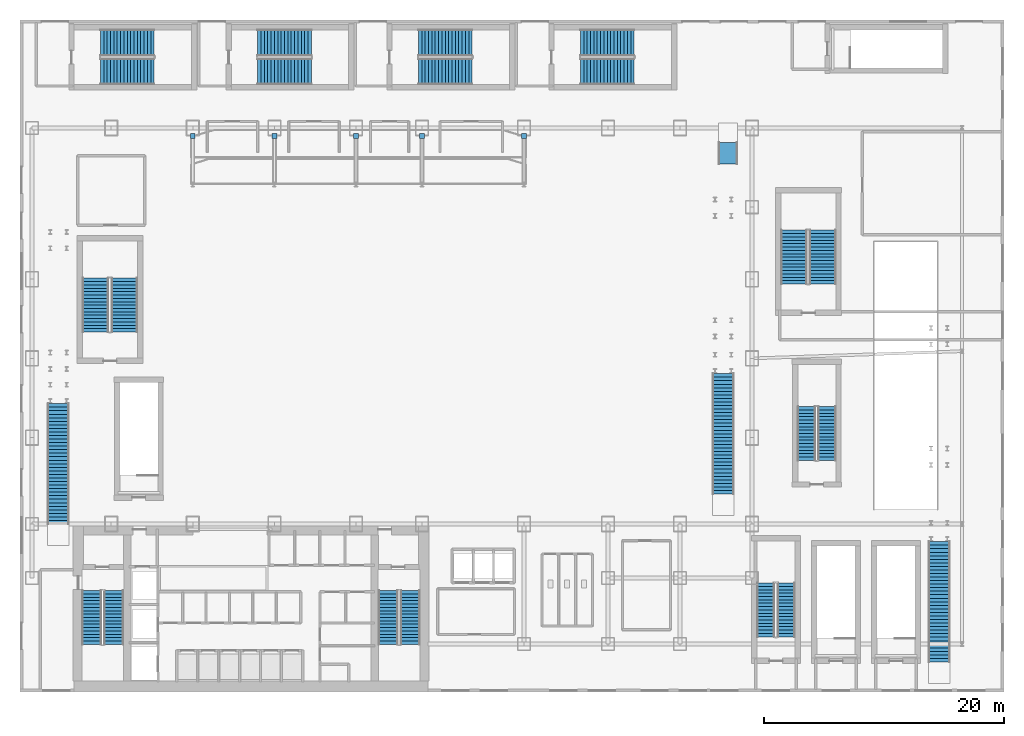
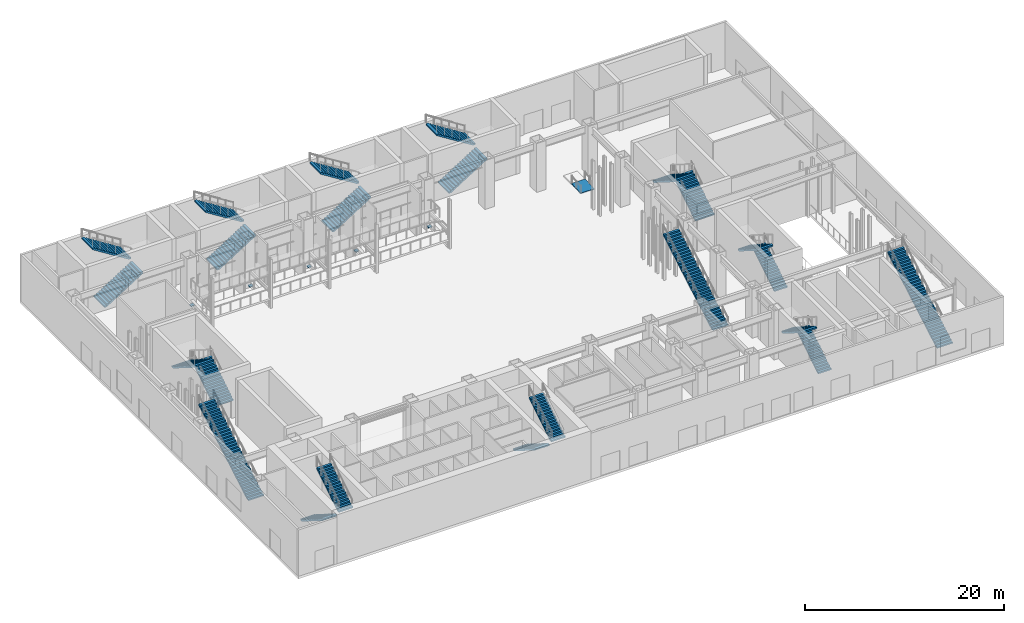
# One storey, part 16 of 25: 23 stair flights, 5 discrete accessories, 1 ramp flight, 14 elements without a shape of their own.
"""IFC4 building model written with IfcOpenShell, lengths in metres."""

import ifcopenshell
import ifcopenshell.guid

model = None  # the IFC model being written
_history = None  # IfcOwnerHistory: only IFC2X3 demands one
_inside = {}  # id of a spatial element -> (the spatial element, [elements in it])
_under = {}  # id of a project, library or spatial element -> (it, [spatial elements below it])
_declared = {}  # id of a project -> (the project, [libraries it declares])
_typed = {}  # id of a type object -> (the type object, [elements of that type])
_made_of = {}  # id of a material, layer set ... -> (it, [elements and type objects made of it])


def new_model(schema):
    """Start an empty IFC model of exactly this schema.

    Asked for "IFC4X3", IfcOpenShell would pick the latest addendum, in which some entities
    have other attributes; the version numbers below select the first issue.
    IFC2X3 requires an IfcOwnerHistory on every rooted entity: one is made here for all.
    """
    global model, _history
    if schema == "IFC4X3":
        model = ifcopenshell.file(schema_version=(4, 3, 0, 0))
    else:
        model = ifcopenshell.file(schema=schema)
    _inside.clear()
    _under.clear()
    _declared.clear()
    _typed.clear()
    _made_of.clear()
    _history = None
    if model.schema == "IFC2X3":
        org = make("IfcOrganization", Name="unknown")
        user = make(
            "IfcPersonAndOrganization",
            ThePerson=make("IfcPerson", FamilyName="unknown"),
            TheOrganization=org,
        )
        app = make(
            "IfcApplication",
            ApplicationDeveloper=org,
            Version="unknown",
            ApplicationFullName="unknown",
            ApplicationIdentifier="unknown",
        )
        _history = make(
            "IfcOwnerHistory",
            OwningUser=user,
            OwningApplication=app,
            ChangeAction="ADDED",
            CreationDate=0,
        )
    return model


def make(cls, **values):
    """One entity of the class cls with the attributes given. An attribute that is None is left unset."""
    return model.create_entity(
        cls, **{name: value for name, value in values.items() if value is not None}
    )


def rooted(cls, **values):
    """An entity with a GlobalId (a new one), such as an element, a storey or a relation."""
    return make(cls, GlobalId=ifcopenshell.guid.new(), OwnerHistory=_history, **values)


def si_unit(unit_type, name, prefix=None):
    """IfcSIUnit, for example si_unit("LENGTHUNIT", "METRE", prefix="MILLI")."""
    return make("IfcSIUnit", UnitType=unit_type, Prefix=prefix, Name=name)


def derived_unit(unit_type, elements):
    """IfcDerivedUnit: a product of units, each with its exponent."""
    return make(
        "IfcDerivedUnit",
        Elements=[
            make("IfcDerivedUnitElement", Unit=unit, Exponent=power)
            for unit, power in elements
        ],
        UnitType=unit_type,
    )


def assignment(units):
    """IfcUnitAssignment: the units of a project."""
    return None if units is None else make("IfcUnitAssignment", Units=units)


def point(xyz):
    """IfcCartesianPoint."""
    return None if xyz is None else make("IfcCartesianPoint", Coordinates=xyz)


def direction(xyz):
    """IfcDirection."""
    return None if xyz is None else make("IfcDirection", DirectionRatios=xyz)


def frame(location, z_axis=None, x_axis=None):
    """IfcAxis2Placement3D, a coordinate frame: its origin and axes. An axis left out is left unset."""
    return make(
        "IfcAxis2Placement3D",
        Location=point(location),
        Axis=direction(z_axis),
        RefDirection=direction(x_axis),
    )


def frame_2d(location, x_axis=None):
    """IfcAxis2Placement2D, a coordinate frame in the plane: its origin and x axis."""
    return make(
        "IfcAxis2Placement2D", Location=point(location), RefDirection=direction(x_axis)
    )


def origin():
    """The frame at (0, 0, 0) with its axes left unset."""
    return frame((0.0, 0.0, 0.0))


def origin_2d():
    """The frame at (0, 0) in the plane with its x axis left unset."""
    return frame_2d((0.0, 0.0))


def place(relative_to, where):
    """IfcLocalPlacement: puts the frame where relative to a parent placement (None: the world)."""
    return make(
        "IfcLocalPlacement", PlacementRelTo=relative_to, RelativePlacement=where
    )


def context(
    kind, dimensions, precision=None, world=None, true_north=None, identifier=None
):
    """IfcGeometricRepresentationContext, for example the 3D "Model" context."""
    return make(
        "IfcGeometricRepresentationContext",
        ContextIdentifier=identifier,
        ContextType=kind,
        CoordinateSpaceDimension=dimensions,
        Precision=precision,
        WorldCoordinateSystem=world,
        TrueNorth=true_north,
    )


def subcontext(parent, identifier, kind, view, scale=None):
    """IfcGeometricRepresentationSubContext, for example "Body" below "Model"."""
    return make(
        "IfcGeometricRepresentationSubContext",
        ContextIdentifier=identifier,
        ContextType=kind,
        ParentContext=parent,
        TargetScale=scale,
        TargetView=view,
    )


def project(units=None, contexts=None):
    """IfcProject with its units and contexts."""
    return rooted(
        "IfcProject",
        Name="project",
        RepresentationContexts=contexts,
        UnitsInContext=assignment(units),
    )


def spatial(cls, under=None, at=None, **own):
    """A site, building, storey or space (cls), placed at a placement, below another one or the project."""
    s = rooted(cls, ObjectPlacement=at, **own)
    if under is not None:
        _under.setdefault(under.id(), (under, []))[1].append(s)
    return s


def polyline(points):
    """IfcPolyline through the points."""
    return make("IfcPolyline", Points=[point(p) for p in points])


def profile(cls, at=None, kind="AREA", **sizes):
    """A parametric profile (cls). Its sizes go by their IFC names, for example OverallWidth=200.0."""
    return make(cls, ProfileType=kind, Position=at, **sizes)


def rectangle(**sizes):
    """IfcRectangleProfileDef."""
    return profile("IfcRectangleProfileDef", **sizes)


def outline(outer, holes=None, kind="AREA"):
    """IfcArbitraryClosedProfileDef: a profile drawn as a closed curve; with holes, ...WithVoids."""
    if holes is None:
        return make("IfcArbitraryClosedProfileDef", ProfileType=kind, OuterCurve=outer)
    return make(
        "IfcArbitraryProfileDefWithVoids",
        ProfileType=kind,
        OuterCurve=outer,
        InnerCurves=holes,
    )


def extrude(swept, where, along, depth):
    """IfcExtrudedAreaSolid: the profile swept, set in the frame where, extruded along a direction by depth."""
    return make(
        "IfcExtrudedAreaSolid",
        SweptArea=swept,
        Position=where,
        ExtrudedDirection=direction(along),
        Depth=depth,
    )


def shape(context_of_items, identifier, shape_type, items):
    """IfcShapeRepresentation: the items that make up one representation, for example the "Body"."""
    return make(
        "IfcShapeRepresentation",
        ContextOfItems=context_of_items,
        RepresentationIdentifier=identifier,
        RepresentationType=shape_type,
        Items=items,
    )


def source(mapping_origin, context_of_items, identifier, shape_type, items):
    """IfcRepresentationMap: a shape defined once, which mapped items show again and again."""
    return make(
        "IfcRepresentationMap",
        MappingOrigin=mapping_origin,
        MappedRepresentation=shape(context_of_items, identifier, shape_type, items),
    )


def transform(
    local_origin,
    x_axis=None,
    y_axis=None,
    z_axis=None,
    scale=None,
    scale2=None,
    scale3=None,
    uniform=True,
):
    """IfcCartesianTransformationOperator3D, or its non-uniform kind. x_axis, y_axis, z_axis: its Axis1, 2, 3."""
    if uniform:
        return make(
            "IfcCartesianTransformationOperator3D",
            Axis1=direction(x_axis),
            Axis2=direction(y_axis),
            LocalOrigin=point(local_origin),
            Scale=scale,
            Axis3=direction(z_axis),
        )
    return make(
        "IfcCartesianTransformationOperator3DnonUniform",
        Axis1=direction(x_axis),
        Axis2=direction(y_axis),
        LocalOrigin=point(local_origin),
        Scale=scale,
        Axis3=direction(z_axis),
        Scale2=scale2,
        Scale3=scale3,
    )


def mapped(mapping_source, mapping_target):
    """IfcMappedItem: shows the shape of a source again, moved by a transform."""
    return make(
        "IfcMappedItem", MappingSource=mapping_source, MappingTarget=mapping_target
    )


def material(Name=None, Category=None):
    """IfcMaterial."""
    return make("IfcMaterial", Name=Name, Category=Category)


def layer(
    of_material, thickness, ventilated=None, Name=None, Category=None, Priority=None
):
    """IfcMaterialLayer: one layer of a wall or slab, of a material (None: an air gap)."""
    return make(
        "IfcMaterialLayer",
        Material=of_material,
        LayerThickness=thickness,
        IsVentilated=ventilated,
        Name=Name,
        Category=Category,
        Priority=Priority,
    )


def layer_set(layers, Name=None):
    """IfcMaterialLayerSet."""
    return make("IfcMaterialLayerSet", MaterialLayers=layers, LayerSetName=Name)


def made_of(thing, what):
    """Note that an element or type object is made of a material, layer set ...; save() writes the relation."""
    if what is not None:
        _made_of.setdefault(what.id(), (what, []))[1].append(thing)
    return thing


def type_object(cls, material=None, **own):
    """A type object (cls), such as IfcWallType, which elements share."""
    return made_of(rooted(cls, **own), material)


def element(
    cls,
    number,
    at=None,
    inside=None,
    cuts=None,
    type_object=None,
    material=None,
    context=None,
    identifier="Body",
    shape_type=None,
    held_by="IfcProductDefinitionShape",
    body=None,
    shapes=None,
    **own,
):
    """One element of the class cls, such as IfcWall. Its Tag is "e" and its number.

    at: its placement. inside: the storey or other place that contains it. cuts: it is an
    opening in that element (IfcRelVoidsElement). A single representation is given by context,
    identifier, shape_type and body (its items); several are given by shapes. held_by: the class
    of the entity that holds the representations. save() writes the other relations.
    """
    e = rooted(cls, Tag="e%d" % number, ObjectPlacement=at, **own)
    if body is not None:
        shapes = [shape(context, identifier, shape_type, body)]
    if shapes is not None:
        e.Representation = make(held_by, Representations=shapes)
    if inside is not None:
        _inside.setdefault(inside.id(), (inside, []))[1].append(e)
    if cuts is not None:
        rooted(
            "IfcRelVoidsElement", RelatingBuildingElement=cuts, RelatedOpeningElement=e
        )
    if type_object is not None:
        _typed.setdefault(type_object.id(), (type_object, []))[1].append(e)
    return made_of(e, material)


def aggregate(whole, parts):
    """IfcRelAggregates: a whole, such as a stair, and the parts it consists of."""
    return rooted("IfcRelAggregates", RelatingObject=whole, RelatedObjects=parts)


def save(model, path):
    """Write the relations noted so far, then the file.

    IfcRelAggregates (storeys below a building ...), IfcRelContainedInSpatialStructure (elements
    in a storey), IfcRelDefinesByType, IfcRelAssociatesMaterial and IfcRelDeclares: one each for
    every whole, place, type object, material and project.
    """
    for whole, parts in _under.values():
        aggregate(whole, parts)
    for where, things in _inside.values():
        rooted(
            "IfcRelContainedInSpatialStructure",
            RelatedElements=things,
            RelatingStructure=where,
        )
    for kind, things in _typed.values():
        rooted("IfcRelDefinesByType", RelatedObjects=things, RelatingType=kind)
    for what, things in _made_of.values():
        rooted("IfcRelAssociatesMaterial", RelatedObjects=things, RelatingMaterial=what)
    for by, libraries in _declared.values():
        rooted("IfcRelDeclares", RelatingContext=by, RelatedDefinitions=libraries)
    model.write(path)


model = new_model("IFC4")

# Units and contexts
model_context = context("Model", 3, precision=1e-05, world=origin(), true_north=direction((0.0, 1.0)))
body_context = subcontext(model_context, "Body", "Model", "MODEL_VIEW")
ifc_project = project(units=[si_unit("LENGTHUNIT", "METRE"), si_unit("AREAUNIT", "SQUARE_METRE"), si_unit("VOLUMEUNIT", "CUBIC_METRE"), si_unit("PLANEANGLEUNIT", "RADIAN"), si_unit("MASSUNIT", "GRAM", prefix="KILO"), derived_unit("THERMALTRANSMITTANCEUNIT", [(si_unit("POWERUNIT", "WATT"), 1), (si_unit("LENGTHUNIT", "METRE"), -2), (si_unit("THERMODYNAMICTEMPERATUREUNIT", "KELVIN"), -1)])], contexts=[model_context])

# Site, building, storey
site_placement = place(None, origin())
site = spatial("IfcSite", under=ifc_project, at=site_placement, CompositionType="ELEMENT")
building_placement = place(site_placement, origin())
building = spatial("IfcBuilding", under=site, at=building_placement, Name="Skarnbrae Concourse Arena and Tower", CompositionType="ELEMENT")
storey_placement = place(building_placement, origin())
storey = spatial("IfcBuildingStorey", under=building, at=storey_placement, Name="L00", CompositionType="ELEMENT", Elevation=0.0)

# Stair, stair flights
ifc_material_1 = material(Name="Concrete 40 MPa (C40/50)", Category="concrete")
stair_type_1 = type_object("IfcStairType", Name="STAIR-DOGLEG-1650", PredefinedType="HALF_TURN_STAIR", material=ifc_material_1)
stair_1_placement = place(storey_placement, origin())
stair_1 = element("IfcStair", 1, at=stair_1_placement, inside=storey, type_object=stair_type_1, Name="L00 Protected Exit Stair ST-1", PredefinedType="HALF_TURN_STAIR")
stair_flight_type_1 = type_object("IfcStairFlightType", Name="FLIGHT-STRAIGHT-1650", PredefinedType="STRAIGHT", material=ifc_material_1)
shared_shape_1 = source(origin(), body_context, "Body", "SweptSolid", [
    extrude(outline(polyline([(0.0, 0.0), (0.0, 0.176513671875), (0.280029296875, 0.176513671875), (0.280029296875, 0.35302734375), (0.56005859375, 0.35302734375), (0.56005859375, 0.529296875), (0.840087890625, 0.529296875), (0.840087890625, 0.705810546875), (1.1201171875, 0.705810546875), (1.1201171875, 0.88232421875), (1.39990234375, 0.88232421875), (1.39990234375, 1.058837890625), (1.679931640625, 1.058837890625), (1.679931640625, 1.2353515625), (1.9599609375, 1.2353515625), (1.9599609375, 1.411865234375), (2.239990234375, 1.411865234375), (2.239990234375, 1.588134765625), (2.52001953125, 1.588134765625), (2.52001953125, 1.7646484375), (2.800048828125, 1.7646484375), (2.800048828125, 1.941162109375), (3.080078125, 1.941162109375), (3.080078125, 2.11767578125), (3.360107421875, 2.11767578125), (3.360107421875, 2.294189453125), (3.639892578125, 2.294189453125), (3.639892578125, 2.470703125), (3.919921875, 2.470703125), (3.919921875, 2.64697265625), (4.199951171875, 2.64697265625), (4.199951171875, 2.823486328125), (4.47998046875, 2.823486328125), (4.47998046875, 3.0), (4.47998046875, 2.646240234375), (0.28125, 0.0), (0.0, 0.0)])), frame((0.0, 0.824951171875, 0.0), z_axis=(0.0, -1.0, 0.0), x_axis=(1.0, 0.0, 0.0)), (0.0, 0.0, 1.0), 1.64990234375),
])
stair_flight_1_placement = place(storey_placement, frame((5.97509765625, 8.449951171875, 0.0), z_axis=(0.0, 0.0, 1.0), x_axis=(0.0, -1.0, 0.0)))
stair_flight_1 = element("IfcStairFlight", 2, at=stair_flight_1_placement, type_object=stair_flight_type_1, Name="ST-1 flight 1", NumberOfRisers=17, NumberOfTreads=16, PredefinedType="STRAIGHT", RiserHeight=0.176470588, TreadLength=0.28, context=body_context, shape_type="MappedRepresentation", body=[
    mapped(shared_shape_1, transform((0.0, 0.0, 0.0))),
])
stair_flight_2_placement = place(storey_placement, frame((7.824951171875, 3.969970703125, 3.0), z_axis=(0.0, 0.0, 1.0), x_axis=(0.0, 1.0, 0.0)))
stair_flight_2 = element("IfcStairFlight", 3, at=stair_flight_2_placement, type_object=stair_flight_type_1, Name="ST-1 flight 2", NumberOfRisers=17, NumberOfTreads=16, PredefinedType="STRAIGHT", RiserHeight=0.176470588, TreadLength=0.28, context=body_context, shape_type="MappedRepresentation", body=[
    mapped(shared_shape_1, transform((0.0, 0.0, 0.0))),
])
aggregate(stair_1, [stair_flight_1, stair_flight_2])

stair_2_placement = place(storey_placement, origin())
stair_2 = element("IfcStair", 4, at=stair_2_placement, inside=storey, type_object=stair_type_1, Name="L00 Protected Exit Stair ST-2", PredefinedType="HALF_TURN_STAIR")
stair_flight_3_placement = place(storey_placement, frame((30.675048828125, 8.449951171875, 0.0), z_axis=(0.0, 0.0, 1.0), x_axis=(0.0, -1.0, 0.0)))
stair_flight_3 = element("IfcStairFlight", 5, at=stair_flight_3_placement, type_object=stair_flight_type_1, Name="ST-2 flight 1", NumberOfRisers=17, NumberOfTreads=16, PredefinedType="STRAIGHT", RiserHeight=0.176470588, TreadLength=0.28, context=body_context, shape_type="MappedRepresentation", body=[
    mapped(shared_shape_1, transform((0.0, 0.0, 0.0))),
])
stair_flight_4_placement = place(storey_placement, frame((32.52490234375, 3.969970703125, 3.0), z_axis=(0.0, 0.0, 1.0), x_axis=(0.0, 1.0, 0.0)))
stair_flight_4 = element("IfcStairFlight", 6, at=stair_flight_4_placement, type_object=stair_flight_type_1, Name="ST-2 flight 2", NumberOfRisers=17, NumberOfTreads=16, PredefinedType="STRAIGHT", RiserHeight=0.176470588, TreadLength=0.28, context=body_context, shape_type="MappedRepresentation", body=[
    mapped(shared_shape_1, transform((0.0, 0.0, 0.0))),
])
aggregate(stair_2, [stair_flight_3, stair_flight_4])

stair_type_2 = type_object("IfcStairType", Name="STAIR-DOGLEG-1500", PredefinedType="HALF_TURN_STAIR", material=ifc_material_1)
stair_3_placement = place(storey_placement, origin())
stair_3 = element("IfcStair", 7, at=stair_3_placement, inside=storey, type_object=stair_type_2, Name="L00 Arena Exit Stair ST-A1", PredefinedType="HALF_TURN_STAIR")
stair_flight_type_2 = type_object("IfcStairFlightType", Name="FLIGHT-STRAIGHT-1500", PredefinedType="STRAIGHT", material=ifc_material_1)
shared_shape_2 = source(origin(), body_context, "Body", "SweptSolid", [
    extrude(outline(polyline([(0.0, 0.0), (0.0, 0.176513671875), (0.280029296875, 0.176513671875), (0.280029296875, 0.35302734375), (0.56005859375, 0.35302734375), (0.56005859375, 0.529296875), (0.840087890625, 0.529296875), (0.840087890625, 0.705810546875), (1.1201171875, 0.705810546875), (1.1201171875, 0.88232421875), (1.39990234375, 0.88232421875), (1.39990234375, 1.058837890625), (1.679931640625, 1.058837890625), (1.679931640625, 1.2353515625), (1.9599609375, 1.2353515625), (1.9599609375, 1.411865234375), (2.239990234375, 1.411865234375), (2.239990234375, 1.588134765625), (2.52001953125, 1.588134765625), (2.52001953125, 1.7646484375), (2.800048828125, 1.7646484375), (2.800048828125, 1.941162109375), (3.080078125, 1.941162109375), (3.080078125, 2.11767578125), (3.360107421875, 2.11767578125), (3.360107421875, 2.294189453125), (3.639892578125, 2.294189453125), (3.639892578125, 2.470703125), (3.919921875, 2.470703125), (3.919921875, 2.64697265625), (4.199951171875, 2.64697265625), (4.199951171875, 2.823486328125), (4.47998046875, 2.823486328125), (4.47998046875, 3.0), (4.47998046875, 2.646240234375), (0.28125, 0.0), (0.0, 0.0)])), frame((0.0, 0.75, 0.0), z_axis=(0.0, -1.0, 0.0), x_axis=(1.0, 0.0, 0.0)), (0.0, 0.0, 1.0), 1.5),
])
stair_flight_5_placement = place(storey_placement, frame((63.85009765625, 4.60009765625, 0.0), z_axis=(0.0, 0.0, 1.0), x_axis=(0.0, 1.0, 0.0)))
stair_flight_5 = element("IfcStairFlight", 8, at=stair_flight_5_placement, type_object=stair_flight_type_2, Name="ST-A1 flight 1", NumberOfRisers=17, NumberOfTreads=16, PredefinedType="STRAIGHT", RiserHeight=0.176470588, TreadLength=0.28, context=body_context, shape_type="MappedRepresentation", body=[
    mapped(shared_shape_2, transform((0.0, 0.0, 0.0))),
])
stair_flight_6_placement = place(storey_placement, frame((62.14990234375, 9.080078125, 3.0), z_axis=(0.0, 0.0, 1.0), x_axis=(0.0, -1.0, 0.0)))
stair_flight_6 = element("IfcStairFlight", 9, at=stair_flight_6_placement, type_object=stair_flight_type_2, Name="ST-A1 flight 2", NumberOfRisers=17, NumberOfTreads=16, PredefinedType="STRAIGHT", RiserHeight=0.176470588, TreadLength=0.28, context=body_context, shape_type="MappedRepresentation", body=[
    mapped(shared_shape_2, transform((0.0, 0.0, 0.0))),
])
aggregate(stair_3, [stair_flight_5, stair_flight_6])

stair_4_placement = place(storey_placement, origin())
stair_4 = element("IfcStair", 10, at=stair_4_placement, inside=storey, type_object=stair_type_2, Name="L00 Arena Exit Stair ST-A2", PredefinedType="HALF_TURN_STAIR")
stair_flight_7_placement = place(storey_placement, frame((67.25, 19.300048828125, 0.0), z_axis=(0.0, 0.0, 1.0), x_axis=(0.0, 1.0, 0.0)))
stair_flight_7 = element("IfcStairFlight", 11, at=stair_flight_7_placement, type_object=stair_flight_type_2, Name="ST-A2 flight 1", NumberOfRisers=17, NumberOfTreads=16, PredefinedType="STRAIGHT", RiserHeight=0.176470588, TreadLength=0.28, context=body_context, shape_type="MappedRepresentation", body=[
    mapped(shared_shape_2, transform((0.0, 0.0, 0.0))),
])
stair_flight_8_placement = place(storey_placement, frame((65.550048828125, 23.780029296875, 3.0), z_axis=(0.0, 0.0, 1.0), x_axis=(0.0, -1.0, 0.0)))
stair_flight_8 = element("IfcStairFlight", 12, at=stair_flight_8_placement, type_object=stair_flight_type_2, Name="ST-A2 flight 2", NumberOfRisers=17, NumberOfTreads=16, PredefinedType="STRAIGHT", RiserHeight=0.176470588, TreadLength=0.28, context=body_context, shape_type="MappedRepresentation", body=[
    mapped(shared_shape_2, transform((0.0, 0.0, 0.0))),
])
aggregate(stair_4, [stair_flight_7, stair_flight_8])

stair_type_3 = type_object("IfcStairType", Name="STAIR-DOGLEG-2200", PredefinedType="HALF_TURN_STAIR", material=ifc_material_1)
stair_5_placement = place(storey_placement, origin())
stair_5 = element("IfcStair", 13, at=stair_5_placement, inside=storey, type_object=stair_type_3, Name="L00 Arena Exit Stair ST-A3", PredefinedType="HALF_TURN_STAIR")
stair_flight_type_3 = type_object("IfcStairFlightType", Name="FLIGHT-STRAIGHT-2200", PredefinedType="STRAIGHT", material=ifc_material_1)
shared_shape_3 = source(origin(), body_context, "Body", "SweptSolid", [
    extrude(outline(polyline([(0.0, 0.0), (0.0, 0.176513671875), (0.280029296875, 0.176513671875), (0.280029296875, 0.35302734375), (0.56005859375, 0.35302734375), (0.56005859375, 0.529296875), (0.840087890625, 0.529296875), (0.840087890625, 0.705810546875), (1.1201171875, 0.705810546875), (1.1201171875, 0.88232421875), (1.39990234375, 0.88232421875), (1.39990234375, 1.058837890625), (1.679931640625, 1.058837890625), (1.679931640625, 1.2353515625), (1.9599609375, 1.2353515625), (1.9599609375, 1.411865234375), (2.239990234375, 1.411865234375), (2.239990234375, 1.588134765625), (2.52001953125, 1.588134765625), (2.52001953125, 1.7646484375), (2.800048828125, 1.7646484375), (2.800048828125, 1.941162109375), (3.080078125, 1.941162109375), (3.080078125, 2.11767578125), (3.360107421875, 2.11767578125), (3.360107421875, 2.294189453125), (3.639892578125, 2.294189453125), (3.639892578125, 2.470703125), (3.919921875, 2.470703125), (3.919921875, 2.64697265625), (4.199951171875, 2.64697265625), (4.199951171875, 2.823486328125), (4.47998046875, 2.823486328125), (4.47998046875, 3.0), (4.47998046875, 2.646240234375), (0.28125, 0.0), (0.0, 0.0)])), frame((0.0, 1.10009765625, 0.0), z_axis=(0.0, -1.0, 0.0), x_axis=(1.0, 0.0, 0.0)), (0.0, 0.0, 1.0), 2.199951171875),
])
stair_flight_9_placement = place(storey_placement, frame((8.699951171875, 30.0, 0.0), z_axis=(0.0, 0.0, 1.0), x_axis=(0.0, 1.0, 0.0)))
stair_flight_9 = element("IfcStairFlight", 14, at=stair_flight_9_placement, type_object=stair_flight_type_3, Name="ST-A3 flight 1", NumberOfRisers=17, NumberOfTreads=16, PredefinedType="STRAIGHT", RiserHeight=0.176470588, TreadLength=0.28, context=body_context, shape_type="MappedRepresentation", body=[
    mapped(shared_shape_3, transform((0.0, 0.0, 0.0))),
])
stair_flight_10_placement = place(storey_placement, frame((6.300048828125, 34.47998046875, 3.0), z_axis=(0.0, 0.0, 1.0), x_axis=(0.0, -1.0, 0.0)))
stair_flight_10 = element("IfcStairFlight", 15, at=stair_flight_10_placement, type_object=stair_flight_type_3, Name="ST-A3 flight 2", NumberOfRisers=17, NumberOfTreads=16, PredefinedType="STRAIGHT", RiserHeight=0.176470588, TreadLength=0.28, context=body_context, shape_type="MappedRepresentation", body=[
    mapped(shared_shape_3, transform((0.0, 0.0, 0.0))),
])
aggregate(stair_5, [stair_flight_9, stair_flight_10])

stair_6_placement = place(storey_placement, origin())
stair_6 = element("IfcStair", 16, at=stair_6_placement, inside=storey, type_object=stair_type_3, Name="L00 Arena Exit Stair ST-A4", PredefinedType="HALF_TURN_STAIR")
stair_flight_11_placement = place(storey_placement, frame((66.89990234375, 34.0, 0.0), z_axis=(0.0, 0.0, 1.0), x_axis=(0.0, 1.0, 0.0)))
stair_flight_11 = element("IfcStairFlight", 17, at=stair_flight_11_placement, type_object=stair_flight_type_3, Name="ST-A4 flight 1", NumberOfRisers=17, NumberOfTreads=16, PredefinedType="STRAIGHT", RiserHeight=0.176470588, TreadLength=0.28, context=body_context, shape_type="MappedRepresentation", body=[
    mapped(shared_shape_3, transform((0.0, 0.0, 0.0))),
])
stair_flight_12_placement = place(storey_placement, frame((64.5, 38.47998046875, 3.0), z_axis=(0.0, 0.0, 1.0), x_axis=(0.0, -1.0, 0.0)))
stair_flight_12 = element("IfcStairFlight", 18, at=stair_flight_12_placement, type_object=stair_flight_type_3, Name="ST-A4 flight 2", NumberOfRisers=17, NumberOfTreads=16, PredefinedType="STRAIGHT", RiserHeight=0.176470588, TreadLength=0.28, context=body_context, shape_type="MappedRepresentation", body=[
    mapped(shared_shape_3, transform((0.0, 0.0, 0.0))),
])
aggregate(stair_6, [stair_flight_11, stair_flight_12])

stair_7_placement = place(storey_placement, origin())
stair_7 = element("IfcStair", 19, at=stair_7_placement, inside=storey, type_object=stair_type_3, Name="L00 Arena Exit Stair ST-A5", PredefinedType="HALF_TURN_STAIR")
stair_flight_13_placement = place(storey_placement, frame((6.699951171875, 51.699951171875, 0.0), z_axis=(0.0, 0.0, 1.0), x_axis=(1.0, 0.0, 0.0)))
stair_flight_13 = element("IfcStairFlight", 20, at=stair_flight_13_placement, type_object=stair_flight_type_3, Name="ST-A5 flight 1", NumberOfRisers=17, NumberOfTreads=16, PredefinedType="STRAIGHT", RiserHeight=0.176470588, TreadLength=0.28, context=body_context, shape_type="MappedRepresentation", body=[
    mapped(shared_shape_3, transform((0.0, 0.0, 0.0))),
])
stair_flight_14_placement = place(storey_placement, frame((11.179931640625, 54.10009765625, 3.0), z_axis=(0.0, 0.0, 1.0), x_axis=(-1.0, 0.0, 0.0)))
stair_flight_14 = element("IfcStairFlight", 21, at=stair_flight_14_placement, type_object=stair_flight_type_3, Name="ST-A5 flight 2", NumberOfRisers=17, NumberOfTreads=16, PredefinedType="STRAIGHT", RiserHeight=0.176470588, TreadLength=0.28, context=body_context, shape_type="MappedRepresentation", body=[
    mapped(shared_shape_3, transform((0.0, 0.0, 0.0))),
])
aggregate(stair_7, [stair_flight_13, stair_flight_14])

stair_8_placement = place(storey_placement, origin())
stair_8 = element("IfcStair", 22, at=stair_8_placement, inside=storey, type_object=stair_type_3, Name="L00 Arena Exit Stair ST-A6", PredefinedType="HALF_TURN_STAIR")
stair_flight_15_placement = place(storey_placement, frame((19.800048828125, 51.699951171875, 0.0), z_axis=(0.0, 0.0, 1.0), x_axis=(1.0, 0.0, 0.0)))
stair_flight_15 = element("IfcStairFlight", 23, at=stair_flight_15_placement, type_object=stair_flight_type_3, Name="ST-A6 flight 1", NumberOfRisers=17, NumberOfTreads=16, PredefinedType="STRAIGHT", RiserHeight=0.176470588, TreadLength=0.28, context=body_context, shape_type="MappedRepresentation", body=[
    mapped(shared_shape_3, transform((0.0, 0.0, 0.0))),
])
stair_flight_16_placement = place(storey_placement, frame((24.280029296875, 54.10009765625, 3.0), z_axis=(0.0, 0.0, 1.0), x_axis=(-1.0, 0.0, 0.0)))
stair_flight_16 = element("IfcStairFlight", 24, at=stair_flight_16_placement, type_object=stair_flight_type_3, Name="ST-A6 flight 2", NumberOfRisers=17, NumberOfTreads=16, PredefinedType="STRAIGHT", RiserHeight=0.176470588, TreadLength=0.28, context=body_context, shape_type="MappedRepresentation", body=[
    mapped(shared_shape_3, transform((0.0, 0.0, 0.0))),
])
aggregate(stair_8, [stair_flight_15, stair_flight_16])

stair_9_placement = place(storey_placement, origin())
stair_9 = element("IfcStair", 25, at=stair_9_placement, inside=storey, type_object=stair_type_3, Name="L00 Arena Exit Stair ST-A7", PredefinedType="HALF_TURN_STAIR")
stair_flight_17_placement = place(storey_placement, frame((33.199951171875, 51.699951171875, 0.0), z_axis=(0.0, 0.0, 1.0), x_axis=(1.0, 0.0, 0.0)))
stair_flight_17 = element("IfcStairFlight", 26, at=stair_flight_17_placement, type_object=stair_flight_type_3, Name="ST-A7 flight 1", NumberOfRisers=17, NumberOfTreads=16, PredefinedType="STRAIGHT", RiserHeight=0.176470588, TreadLength=0.28, context=body_context, shape_type="MappedRepresentation", body=[
    mapped(shared_shape_3, transform((0.0, 0.0, 0.0))),
])
stair_flight_18_placement = place(storey_placement, frame((37.679931640625, 54.10009765625, 3.0), z_axis=(0.0, 0.0, 1.0), x_axis=(-1.0, 0.0, 0.0)))
stair_flight_18 = element("IfcStairFlight", 27, at=stair_flight_18_placement, type_object=stair_flight_type_3, Name="ST-A7 flight 2", NumberOfRisers=17, NumberOfTreads=16, PredefinedType="STRAIGHT", RiserHeight=0.176470588, TreadLength=0.28, context=body_context, shape_type="MappedRepresentation", body=[
    mapped(shared_shape_3, transform((0.0, 0.0, 0.0))),
])
aggregate(stair_9, [stair_flight_17, stair_flight_18])

stair_10_placement = place(storey_placement, origin())
stair_10 = element("IfcStair", 28, at=stair_10_placement, inside=storey, type_object=stair_type_3, Name="L00 Arena Exit Stair ST-A8", PredefinedType="HALF_TURN_STAIR")
stair_flight_19_placement = place(storey_placement, frame((46.699951171875, 51.699951171875, 0.0), z_axis=(0.0, 0.0, 1.0), x_axis=(1.0, 0.0, 0.0)))
stair_flight_19 = element("IfcStairFlight", 29, at=stair_flight_19_placement, type_object=stair_flight_type_3, Name="ST-A8 flight 1", NumberOfRisers=17, NumberOfTreads=16, PredefinedType="STRAIGHT", RiserHeight=0.176470588, TreadLength=0.28, context=body_context, shape_type="MappedRepresentation", body=[
    mapped(shared_shape_3, transform((0.0, 0.0, 0.0))),
])
stair_flight_20_placement = place(storey_placement, frame((51.179931640625, 54.10009765625, 3.0), z_axis=(0.0, 0.0, 1.0), x_axis=(-1.0, 0.0, 0.0)))
stair_flight_20 = element("IfcStairFlight", 30, at=stair_flight_20_placement, type_object=stair_flight_type_3, Name="ST-A8 flight 2", NumberOfRisers=17, NumberOfTreads=16, PredefinedType="STRAIGHT", RiserHeight=0.176470588, TreadLength=0.28, context=body_context, shape_type="MappedRepresentation", body=[
    mapped(shared_shape_3, transform((0.0, 0.0, 0.0))),
])
aggregate(stair_10, [stair_flight_19, stair_flight_20])

# Stair, stair flight
stair_type_4 = type_object("IfcStairType", Name="STAIR-STRAIGHT-1800", PredefinedType="STRAIGHT_RUN_STAIR", material=ifc_material_1)
stair_11_placement = place(storey_placement, origin())
stair_11 = element("IfcStair", 31, at=stair_11_placement, inside=storey, type_object=stair_type_4, Name="L00 Transit Concourse Straight Stair ST-CONC-1", PredefinedType="STRAIGHT_RUN_STAIR")
stair_flight_type_4 = type_object("IfcStairFlightType", Name="FLIGHT-STRAIGHT-1800", PredefinedType="STRAIGHT", material=ifc_material_1)
shared_shape_4 = source(origin(), body_context, "Body", "SweptSolid", [
    extrude(outline(polyline([(0.0, 0.0), (0.0, 0.17138671875), (0.294921875, 0.17138671875), (0.294921875, 0.3427734375), (0.590087890625, 0.3427734375), (0.590087890625, 0.514404296875), (0.885009765625, 0.514404296875), (0.885009765625, 0.685791015625), (1.179931640625, 0.685791015625), (1.179931640625, 0.857177734375), (1.47509765625, 0.857177734375), (1.47509765625, 1.028564453125), (1.77001953125, 1.028564453125), (1.77001953125, 1.199951171875), (2.06494140625, 1.199951171875), (2.06494140625, 1.371337890625), (2.360107421875, 1.371337890625), (2.360107421875, 1.54296875), (2.655029296875, 1.54296875), (2.655029296875, 1.71435546875), (2.949951171875, 1.71435546875), (2.949951171875, 1.8857421875), (3.2451171875, 1.8857421875), (3.2451171875, 2.05712890625), (3.5400390625, 2.05712890625), (3.5400390625, 2.228515625), (3.8349609375, 2.228515625), (3.8349609375, 2.39990234375), (4.1298828125, 2.39990234375), (4.1298828125, 2.571533203125), (4.425048828125, 2.571533203125), (4.425048828125, 2.742919921875), (4.719970703125, 2.742919921875), (4.719970703125, 2.914306640625), (5.014892578125, 2.914306640625), (5.014892578125, 3.085693359375), (5.31005859375, 3.085693359375), (5.31005859375, 3.257080078125), (5.60498046875, 3.257080078125), (5.60498046875, 3.428466796875), (5.89990234375, 3.428466796875), (5.89990234375, 3.60009765625), (6.195068359375, 3.60009765625), (6.195068359375, 3.771484375), (6.489990234375, 3.771484375), (6.489990234375, 3.94287109375), (6.784912109375, 3.94287109375), (6.784912109375, 4.1142578125), (7.080078125, 4.1142578125), (7.080078125, 4.28564453125), (7.375, 4.28564453125), (7.375, 4.457275390625), (7.669921875, 4.457275390625), (7.669921875, 4.628662109375), (7.965087890625, 4.628662109375), (7.965087890625, 4.800048828125), (8.260009765625, 4.800048828125), (8.260009765625, 4.971435546875), (8.554931640625, 4.971435546875), (8.554931640625, 5.142822265625), (8.85009765625, 5.142822265625), (8.85009765625, 5.314208984375), (9.14501953125, 5.314208984375), (9.14501953125, 5.48583984375), (9.43994140625, 5.48583984375), (9.43994140625, 5.6572265625), (9.735107421875, 5.6572265625), (9.735107421875, 5.82861328125), (10.030029296875, 5.82861328125), (10.030029296875, 6.0), (10.030029296875, 5.620361328125), (0.358154296875, 0.0), (0.0, 0.0)])), frame((0.0, 0.89990234375, 0.0), z_axis=(0.0, -1.0, 0.0), x_axis=(1.0, 0.0, 0.0)), (0.0, 0.0, 1.0), 1.800048828125),
])
stair_flight_21_placement = place(storey_placement, frame((76.60009765625, 2.5, 0.0), z_axis=(0.0, 0.0, 1.0), x_axis=(0.0, 1.0, 0.0)))
stair_flight_21 = element("IfcStairFlight", 32, at=stair_flight_21_placement, type_object=stair_flight_type_4, Name="ST-CONC-1 Straight Flight L00", NumberOfRisers=35, NumberOfTreads=34, PredefinedType="STRAIGHT", RiserHeight=0.171429, TreadLength=0.295, context=body_context, shape_type="MappedRepresentation", body=[
    mapped(shared_shape_4, transform((0.0, 0.0, 0.0))),
])
aggregate(stair_11, [stair_flight_21])

stair_12_placement = place(storey_placement, origin())
stair_12 = element("IfcStair", 33, at=stair_12_placement, inside=storey, type_object=stair_type_4, Name="L00 Transit Concourse Straight Stair ST-CONC-2", PredefinedType="STRAIGHT_RUN_STAIR")
stair_flight_22_placement = place(storey_placement, frame((3.199951171875, 14.0, 0.0), z_axis=(0.0, 0.0, 1.0), x_axis=(0.0, 1.0, 0.0)))
stair_flight_22 = element("IfcStairFlight", 34, at=stair_flight_22_placement, type_object=stair_flight_type_4, Name="ST-CONC-2 Straight Flight L00", NumberOfRisers=35, NumberOfTreads=34, PredefinedType="STRAIGHT", RiserHeight=0.171429, TreadLength=0.295, context=body_context, shape_type="MappedRepresentation", body=[
    mapped(shared_shape_4, transform((0.0, 0.0, 0.0))),
])
aggregate(stair_12, [stair_flight_22])

stair_13_placement = place(storey_placement, origin())
stair_13 = element("IfcStair", 35, at=stair_13_placement, inside=storey, type_object=stair_type_4, Name="L00 Transit Concourse Straight Stair ST-CONC-3", PredefinedType="STRAIGHT_RUN_STAIR")
stair_flight_23_placement = place(storey_placement, frame((58.60009765625, 16.5, 0.0), z_axis=(0.0, 0.0, 1.0), x_axis=(0.0, 1.0, 0.0)))
stair_flight_23 = element("IfcStairFlight", 36, at=stair_flight_23_placement, type_object=stair_flight_type_4, Name="ST-CONC-3 Straight Flight L00", NumberOfRisers=35, NumberOfTreads=34, PredefinedType="STRAIGHT", RiserHeight=0.171429, TreadLength=0.295, context=body_context, shape_type="MappedRepresentation", body=[
    mapped(shared_shape_4, transform((0.0, 0.0, 0.0))),
])
aggregate(stair_13, [stair_flight_23])

# Ramp, ramp flight
ramp_type = type_object("IfcRampType", Name="RAMP-ACC-1600", PredefinedType="STRAIGHT_RUN_RAMP", material=ifc_material_1)
ramp_placement = place(storey_placement, origin())
ramp = element("IfcRamp", 37, at=ramp_placement, inside=storey, type_object=ramp_type, Name="L00 Barrier-free accessible ramp R-A01", PredefinedType="STRAIGHT_RUN_RAMP")
ifc_layer = layer(ifc_material_1, 0.25)
ifc_layer_set = layer_set([ifc_layer], Name="Concrete 40 MPa (C40/50)")
ramp_flight_type = type_object("IfcRampFlightType", Name="RAMPFLIGHT-ACC-250", PredefinedType="STRAIGHT", material=ifc_layer_set)
ramp_flight_placement = place(storey_placement, frame((58.199951171875, 44.0, 0.02001953125), z_axis=(0.0, -0.06644715358, 0.997789945721), x_axis=(1.0, 0.0, 0.0)))
ramp_flight = element("IfcRampFlight", 38, at=ramp_flight_placement, type_object=ramp_flight_type, Name="L00 Accessible ramp flight 01", PredefinedType="STRAIGHT", context=body_context, shape_type="SweptSolid", body=[
    extrude(outline(polyline([(0.0, 0.0), (1.60009765625, 0.0), (1.60009765625, 1.8040358452650773), (0.0, 1.8040358452650773), (0.0, 0.0)])), origin(), (0.0, 0.0, -1.0), 0.1201171875),
])
aggregate(ramp, [ramp_flight])

# Discrete accessories
ifc_material_2 = material(Name="Steel CSA G40.21 350W", Category="steel")
discrete_accessory_type = type_object("IfcDiscreteAccessoryType", Name="ACC-BEARING-RAKER-RB01", PredefinedType="SHOE", material=ifc_material_2)
shared_shape_5 = source(origin(), body_context, "Body", "SweptSolid", [
    extrude(rectangle(XDim=0.39990234375, YDim=0.39990234375, at=origin_2d()), origin(), (0.0, 0.0, 1.0), 0.10009765625),
])
for number, where, z_axis, x_axis, name in (
    (39, (14.39990234375, 46.330078125, 0.169921875), (0.0, 0.0, 1.0), (1.0, 0.0, 0.0), "L00 Guided Arena Raker Bearing RB-01 N01"),
    (40, (21.199951171875, 46.330078125, 0.169921875), (0.0, 0.0, 1.0), (1.0, 0.0, 0.0), "L00 Guided Arena Raker Bearing RB-01 N02"),
    (41, (28.0, 46.330078125, 0.169921875), (0.0, 0.0, 1.0), (1.0, 0.0, 0.0), "L00 Guided Arena Raker Bearing RB-01 N03"),
    (42, (33.5, 46.330078125, 0.169921875), (0.0, 0.0, 1.0), (1.0, 0.0, 0.0), "L00 Guided Arena Raker Bearing RB-01 N04"),
    (43, (42.0, 46.330078125, 0.169921875), (0.0, 0.0, 1.0), (1.0, 0.0, 0.0), "L00 Guided Arena Raker Bearing RB-01 N05"),
):
    element("IfcDiscreteAccessory", number, at=place(storey_placement, frame(where, z_axis=z_axis, x_axis=x_axis)), inside=storey, type_object=discrete_accessory_type, Name=name, PredefinedType="SHOE", context=body_context, shape_type="MappedRepresentation", body=[
        mapped(shared_shape_5, transform((0.0, 0.0, 0.0))),
    ])

save(model, "model.ifc")
